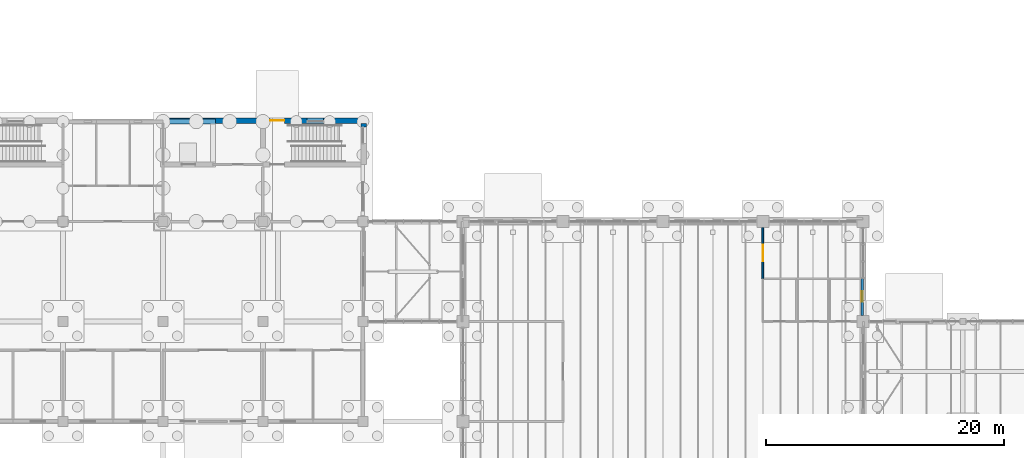
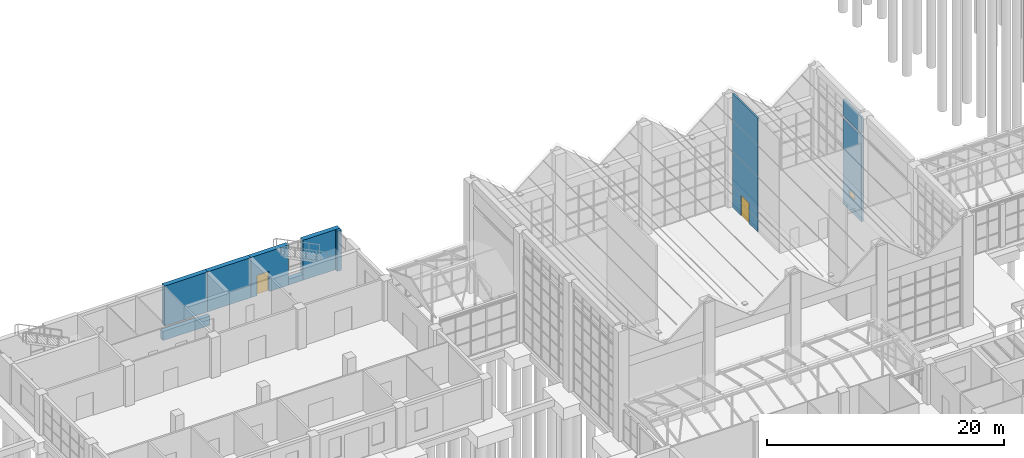
# One storey, part 111 of 138: 10 walls, 2 doors, 1 window, 3 openings.
"""IFC4 building model written with IfcOpenShell, lengths in metres."""

import ifcopenshell
import ifcopenshell.guid

model = None  # the IFC model being written
_history = None  # IfcOwnerHistory: only IFC2X3 demands one
_inside = {}  # id of a spatial element -> (the spatial element, [elements in it])
_under = {}  # id of a project, library or spatial element -> (it, [spatial elements below it])
_declared = {}  # id of a project -> (the project, [libraries it declares])
_typed = {}  # id of a type object -> (the type object, [elements of that type])
_made_of = {}  # id of a material, layer set ... -> (it, [elements and type objects made of it])


def new_model(schema):
    """Start an empty IFC model of exactly this schema.

    Asked for "IFC4X3", IfcOpenShell would pick the latest addendum, in which some entities
    have other attributes; the version numbers below select the first issue.
    IFC2X3 requires an IfcOwnerHistory on every rooted entity: one is made here for all.
    """
    global model, _history
    if schema == "IFC4X3":
        model = ifcopenshell.file(schema_version=(4, 3, 0, 0))
    else:
        model = ifcopenshell.file(schema=schema)
    _inside.clear()
    _under.clear()
    _declared.clear()
    _typed.clear()
    _made_of.clear()
    _history = None
    if model.schema == "IFC2X3":
        org = make("IfcOrganization", Name="unknown")
        user = make(
            "IfcPersonAndOrganization",
            ThePerson=make("IfcPerson", FamilyName="unknown"),
            TheOrganization=org,
        )
        app = make(
            "IfcApplication",
            ApplicationDeveloper=org,
            Version="unknown",
            ApplicationFullName="unknown",
            ApplicationIdentifier="unknown",
        )
        _history = make(
            "IfcOwnerHistory",
            OwningUser=user,
            OwningApplication=app,
            ChangeAction="ADDED",
            CreationDate=0,
        )
    return model


def make(cls, **values):
    """One entity of the class cls with the attributes given. An attribute that is None is left unset."""
    return model.create_entity(
        cls, **{name: value for name, value in values.items() if value is not None}
    )


def rooted(cls, **values):
    """An entity with a GlobalId (a new one), such as an element, a storey or a relation."""
    return make(cls, GlobalId=ifcopenshell.guid.new(), OwnerHistory=_history, **values)


def si_unit(unit_type, name, prefix=None):
    """IfcSIUnit, for example si_unit("LENGTHUNIT", "METRE", prefix="MILLI")."""
    return make("IfcSIUnit", UnitType=unit_type, Prefix=prefix, Name=name)


def assignment(units):
    """IfcUnitAssignment: the units of a project."""
    return None if units is None else make("IfcUnitAssignment", Units=units)


def point(xyz):
    """IfcCartesianPoint."""
    return None if xyz is None else make("IfcCartesianPoint", Coordinates=xyz)


def direction(xyz):
    """IfcDirection."""
    return None if xyz is None else make("IfcDirection", DirectionRatios=xyz)


def frame(location, z_axis=None, x_axis=None):
    """IfcAxis2Placement3D, a coordinate frame: its origin and axes. An axis left out is left unset."""
    return make(
        "IfcAxis2Placement3D",
        Location=point(location),
        Axis=direction(z_axis),
        RefDirection=direction(x_axis),
    )


def frame_2d(location, x_axis=None):
    """IfcAxis2Placement2D, a coordinate frame in the plane: its origin and x axis."""
    return make(
        "IfcAxis2Placement2D", Location=point(location), RefDirection=direction(x_axis)
    )


def origin():
    """The frame at (0, 0, 0) with its axes left unset."""
    return frame((0.0, 0.0, 0.0))


def place(relative_to, where):
    """IfcLocalPlacement: puts the frame where relative to a parent placement (None: the world)."""
    return make(
        "IfcLocalPlacement", PlacementRelTo=relative_to, RelativePlacement=where
    )


def context(
    kind, dimensions, precision=None, world=None, true_north=None, identifier=None
):
    """IfcGeometricRepresentationContext, for example the 3D "Model" context."""
    return make(
        "IfcGeometricRepresentationContext",
        ContextIdentifier=identifier,
        ContextType=kind,
        CoordinateSpaceDimension=dimensions,
        Precision=precision,
        WorldCoordinateSystem=world,
        TrueNorth=true_north,
    )


def subcontext(parent, identifier, kind, view, scale=None):
    """IfcGeometricRepresentationSubContext, for example "Body" below "Model"."""
    return make(
        "IfcGeometricRepresentationSubContext",
        ContextIdentifier=identifier,
        ContextType=kind,
        ParentContext=parent,
        TargetScale=scale,
        TargetView=view,
    )


def project(units=None, contexts=None):
    """IfcProject with its units and contexts."""
    return rooted(
        "IfcProject",
        Name="project",
        RepresentationContexts=contexts,
        UnitsInContext=assignment(units),
    )


def spatial(cls, under=None, at=None, **own):
    """A site, building, storey or space (cls), placed at a placement, below another one or the project."""
    s = rooted(cls, ObjectPlacement=at, **own)
    if under is not None:
        _under.setdefault(under.id(), (under, []))[1].append(s)
    return s


def profile(cls, at=None, kind="AREA", **sizes):
    """A parametric profile (cls). Its sizes go by their IFC names, for example OverallWidth=200.0."""
    return make(cls, ProfileType=kind, Position=at, **sizes)


def rectangle(**sizes):
    """IfcRectangleProfileDef."""
    return profile("IfcRectangleProfileDef", **sizes)


def extrude(swept, where, along, depth):
    """IfcExtrudedAreaSolid: the profile swept, set in the frame where, extruded along a direction by depth."""
    return make(
        "IfcExtrudedAreaSolid",
        SweptArea=swept,
        Position=where,
        ExtrudedDirection=direction(along),
        Depth=depth,
    )


def shape(context_of_items, identifier, shape_type, items):
    """IfcShapeRepresentation: the items that make up one representation, for example the "Body"."""
    return make(
        "IfcShapeRepresentation",
        ContextOfItems=context_of_items,
        RepresentationIdentifier=identifier,
        RepresentationType=shape_type,
        Items=items,
    )


def material(Name=None, Category=None):
    """IfcMaterial."""
    return make("IfcMaterial", Name=Name, Category=Category)


def layer(
    of_material, thickness, ventilated=None, Name=None, Category=None, Priority=None
):
    """IfcMaterialLayer: one layer of a wall or slab, of a material (None: an air gap)."""
    return make(
        "IfcMaterialLayer",
        Material=of_material,
        LayerThickness=thickness,
        IsVentilated=ventilated,
        Name=Name,
        Category=Category,
        Priority=Priority,
    )


def layer_set(layers, Name=None):
    """IfcMaterialLayerSet."""
    return make("IfcMaterialLayerSet", MaterialLayers=layers, LayerSetName=Name)


def made_of(thing, what):
    """Note that an element or type object is made of a material, layer set ...; save() writes the relation."""
    if what is not None:
        _made_of.setdefault(what.id(), (what, []))[1].append(thing)
    return thing


def type_object(cls, material=None, **own):
    """A type object (cls), such as IfcWallType, which elements share."""
    return made_of(rooted(cls, **own), material)


def element(
    cls,
    number,
    at=None,
    inside=None,
    cuts=None,
    type_object=None,
    material=None,
    context=None,
    identifier="Body",
    shape_type=None,
    held_by="IfcProductDefinitionShape",
    body=None,
    shapes=None,
    **own,
):
    """One element of the class cls, such as IfcWall. Its Tag is "e" and its number.

    at: its placement. inside: the storey or other place that contains it. cuts: it is an
    opening in that element (IfcRelVoidsElement). A single representation is given by context,
    identifier, shape_type and body (its items); several are given by shapes. held_by: the class
    of the entity that holds the representations. save() writes the other relations.
    """
    e = rooted(cls, Tag="e%d" % number, ObjectPlacement=at, **own)
    if body is not None:
        shapes = [shape(context, identifier, shape_type, body)]
    if shapes is not None:
        e.Representation = make(held_by, Representations=shapes)
    if inside is not None:
        _inside.setdefault(inside.id(), (inside, []))[1].append(e)
    if cuts is not None:
        rooted(
            "IfcRelVoidsElement", RelatingBuildingElement=cuts, RelatedOpeningElement=e
        )
    if type_object is not None:
        _typed.setdefault(type_object.id(), (type_object, []))[1].append(e)
    return made_of(e, material)


def fill(opening, filler):
    """IfcRelFillsElement: the door or window that sits in an opening."""
    return rooted(
        "IfcRelFillsElement",
        RelatingOpeningElement=opening,
        RelatedBuildingElement=filler,
    )


def aggregate(whole, parts):
    """IfcRelAggregates: a whole, such as a stair, and the parts it consists of."""
    return rooted("IfcRelAggregates", RelatingObject=whole, RelatedObjects=parts)


def save(model, path):
    """Write the relations noted so far, then the file.

    IfcRelAggregates (storeys below a building ...), IfcRelContainedInSpatialStructure (elements
    in a storey), IfcRelDefinesByType, IfcRelAssociatesMaterial and IfcRelDeclares: one each for
    every whole, place, type object, material and project.
    """
    for whole, parts in _under.values():
        aggregate(whole, parts)
    for where, things in _inside.values():
        rooted(
            "IfcRelContainedInSpatialStructure",
            RelatedElements=things,
            RelatingStructure=where,
        )
    for kind, things in _typed.values():
        rooted("IfcRelDefinesByType", RelatedObjects=things, RelatingType=kind)
    for what, things in _made_of.values():
        rooted("IfcRelAssociatesMaterial", RelatedObjects=things, RelatingMaterial=what)
    for by, libraries in _declared.values():
        rooted("IfcRelDeclares", RelatingContext=by, RelatedDefinitions=libraries)
    model.write(path)


model = new_model("IFC4")

# Units and contexts
model_context = context("Model", 3, precision=1e-05, world=origin(), true_north=direction((0.0, 1.0)))
body_context = subcontext(model_context, "Body", "Model", "MODEL_VIEW")
ifc_project = project(units=[si_unit("LENGTHUNIT", "METRE"), si_unit("AREAUNIT", "SQUARE_METRE"), si_unit("VOLUMEUNIT", "CUBIC_METRE"), si_unit("PLANEANGLEUNIT", "RADIAN"), si_unit("MASSUNIT", "GRAM", prefix="KILO")], contexts=[model_context])

# Site, building, storey
site_placement = place(None, origin())
site = spatial("IfcSite", under=ifc_project, at=site_placement, CompositionType="ELEMENT")
building_placement = place(site_placement, origin())
building = spatial("IfcBuilding", under=site, at=building_placement, Name="Yavir Park General Hospital", CompositionType="ELEMENT")
storey_placement = place(building_placement, origin())
storey = spatial("IfcBuildingStorey", under=building, at=storey_placement, Name="L00", CompositionType="ELEMENT", Elevation=0.0)

# Wall, opening, window
ifc_material_1 = material(Name="Aluminium glazing frame wall with insulated infill", Category="aluminium")
ifc_layer_1 = layer(ifc_material_1, 0.199951171875)
ifc_layer_set_1 = layer_set([ifc_layer_1], Name="Aluminium glazing frame wall with insulated infill")
wall_type_1 = type_object("IfcWallType", Name="Glazing frame wall 200, E 30", PredefinedType="SOLIDWALL", material=ifc_layer_set_1)
wall_1_placement = place(storey_placement, frame((109.14990234375, 59.300048828125, 0.0), z_axis=(0.0, 0.0, 1.0), x_axis=(0.0, 1.0, 0.0)))
wall_1 = element("IfcWall", 1, at=wall_1_placement, inside=storey, type_object=wall_type_1, Name="XW9 L00-154", PredefinedType="SOLIDWALL", context=body_context, shape_type="SweptSolid", body=[
    extrude(rectangle(XDim=3.099853515625, YDim=0.199951171875, at=frame_2d((1.5498046875, 0.0))), origin(), (0.0, 0.0, 1.0), 8.844970703125),
])
opening_1_placement = place(wall_1_placement, frame((1.14990234375, 0.0, 1.5)))
opening_1 = element("IfcOpeningElement", 2, at=opening_1_placement, cuts=wall_1, Name="Opening WE", PredefinedType="OPENING", context=body_context, shape_type="SweptSolid", body=[
    extrude(rectangle(XDim=0.89990234375, YDim=0.60009765625, at=frame_2d((0.449951171875, 0.300048828125))), frame((0.0, 0.10986328125, 0.0), z_axis=(0.0, -1.0, 0.0), x_axis=(1.0, 0.0, 0.0)), (0.0, 0.0, 1.0), 0.219970703125),
])
ifc_material_2 = material(Name="Aluminium frame, obscured glazed unit", Category="aluminium")
window_type = type_object("IfcWindowType", Name="Toilet window 900 x 600", PartitioningType="SINGLE_PANEL", PredefinedType="WINDOW", material=ifc_material_2)
window_placement = place(opening_1_placement, origin())
window = element("IfcWindow", 3, at=window_placement, inside=storey, type_object=window_type, Name="WE L00-064", OverallHeight=0.60009765625, OverallWidth=0.89990234375, PartitioningType="SINGLE_PANEL", PredefinedType="WINDOW", context=body_context, shape_type="SweptSolid", body=[
    extrude(rectangle(XDim=0.89990234375, YDim=0.60009765625, at=frame_2d((0.449951171875, 0.300048828125))), frame((0.0, 0.030029296875, 0.0), z_axis=(0.0, -1.0, 0.0), x_axis=(1.0, 0.0, 0.0)), (0.0, 0.0, 1.0), 0.06005859375),
])
fill(opening_1, window)

# Wall
wall_2_placement = place(storey_placement, frame((109.14990234375, 59.300048828125, 9.155029296875), z_axis=(0.0, 0.0, 1.0), x_axis=(0.0, 1.0, 0.0)))
element("IfcWall", 4, at=wall_2_placement, inside=storey, type_object=wall_type_1, Name="XW9 L00-154 above B:HALL:WIND:E2", PredefinedType="SOLIDWALL", context=body_context, shape_type="SweptSolid", body=[
    extrude(rectangle(XDim=3.099853515625, YDim=0.199951171875, at=frame_2d((1.5498046875, 0.0))), origin(), (0.0, 0.0, 1.0), 1.659912109375),
])

# Wall, opening, door
ifc_material_3 = material(Name="Gypsum board partition on steel studs", Category="steel")
ifc_layer_2 = layer(ifc_material_3, 0.14990234375)
ifc_layer_set_2 = layer_set([ifc_layer_2], Name="Gypsum board partition on steel studs")
wall_type_2 = type_object("IfcWallType", Name="Gypsum board partition 150", PredefinedType="PARTITIONING", material=ifc_layer_set_2)
wall_3_placement = place(storey_placement, frame((100.800048828125, 62.39990234375, 0.0), z_axis=(0.0, 0.0, 1.0), x_axis=(0.0, 1.0, 0.0)))
wall_3 = element("IfcWall", 5, at=wall_3_placement, inside=storey, type_object=wall_type_2, Name="P15 L00-425", PredefinedType="PARTITIONING", context=body_context, shape_type="SweptSolid", body=[
    extrude(rectangle(XDim=4.300048828125, YDim=0.14990234375, at=frame_2d((2.14990234375, 0.0))), origin(), (0.0, 0.0, 1.0), 11.717041015625),
])
opening_2_placement = place(wall_3_placement, frame((1.449951171875, 0.0, 0.0)))
opening_2 = element("IfcOpeningElement", 6, at=opening_2_placement, cuts=wall_3, Name="Opening L00.D206", PredefinedType="OPENING", context=body_context, shape_type="SweptSolid", body=[
    extrude(rectangle(XDim=1.39990234375, YDim=2.10009765625, at=frame_2d((0.699951171875, 1.050048828125))), frame((0.0, 0.0849609375, 0.0), z_axis=(0.0, -1.0, 0.0), x_axis=(1.0, 0.0, 0.0)), (0.0, 0.0, 1.0), 0.169921875),
])
ifc_material_4 = material(Name="Hollow metal frame, solid-core timber leaf", Category="wood")
door_type_1 = type_object("IfcDoorType", Name="Double swing door 1400 x 2100", OperationType="DOUBLE_DOOR_SINGLE_SWING", PredefinedType="DOOR", material=ifc_material_4)
door_1_placement = place(opening_2_placement, origin())
door_1 = element("IfcDoor", 7, at=door_1_placement, inside=storey, type_object=door_type_1, Name="L00.D206", OperationType="SINGLE_SWING_RIGHT", OverallHeight=2.10009765625, OverallWidth=1.39990234375, PredefinedType="DOOR", context=body_context, shape_type="SweptSolid", body=[
    extrude(rectangle(XDim=1.39990234375, YDim=2.10009765625, at=frame_2d((0.699951171875, 1.050048828125))), frame((0.0, 0.02490234375, 0.0), z_axis=(0.0, -1.0, 0.0), x_axis=(1.0, 0.0, 0.0)), (0.0, 0.0, 1.0), 0.050048828125),
])
fill(opening_2, door_1)

# Walls
ifc_material_5 = material(Name="Concrete C35/45", Category="concrete")
ifc_layer_3 = layer(ifc_material_5, 0.39990234375)
ifc_layer_set_3 = layer_set([ifc_layer_3], Name="Concrete C35/45")
wall_type_3 = type_object("IfcWallType", Name="RC WALL LIFT PIT 400", PredefinedType="SOLIDWALL", material=ifc_layer_set_3)
wall_4_placement = place(storey_placement, frame((50.199951171875, 75.60009765625, -1.39990234375), z_axis=(0.0, 0.0, 1.0), x_axis=(1.0, 0.0, 0.0)))
element("IfcWall", 8, at=wall_4_placement, inside=storey, type_object=wall_type_3, Name="W:PIT:CPL:1", PredefinedType="SOLIDWALL", context=body_context, shape_type="SweptSolid", body=[
    extrude(rectangle(XDim=4.60009765625, YDim=0.39990234375, at=frame_2d((2.300048828125, 0.0))), origin(), (0.0, 0.0, 1.0), 0.949951171875),
])
ifc_material_6 = material(Name="Concrete C30/37 precast panel with 150 mm mineral wool insulation", Category="concrete")
ifc_layer_4 = layer(ifc_material_6, 0.449951171875)
ifc_layer_set_4 = layer_set([ifc_layer_4], Name="Concrete C30/37 precast panel with 150 mm mineral wool insulation")
wall_type_4 = type_object("IfcWallType", Name="Stair enclosure wall 450, REI 150", PredefinedType="SOLIDWALL", material=ifc_layer_set_4)
wall_5_placement = place(storey_placement, frame((50.39990234375, 75.675048828125, 0.0), z_axis=(0.0, 0.0, 1.0), x_axis=(1.0, 0.0, 0.0)))
element("IfcWall", 9, at=wall_5_placement, inside=storey, type_object=wall_type_4, Name="XW6 L00-073", PredefinedType="SOLIDWALL", context=body_context, shape_type="SweptSolid", body=[
    extrude(rectangle(XDim=4.2001953125, YDim=0.449951171875, at=frame_2d((2.10009765625, 0.0))), origin(), (0.0, 0.0, 1.0), 4.139892578125),
])
wall_6_placement = place(storey_placement, frame((54.60009765625, 75.675048828125, 0.0), z_axis=(0.0, 0.0, 1.0), x_axis=(1.0, 0.0, 0.0)))
element("IfcWall", 10, at=wall_6_placement, inside=storey, type_object=wall_type_4, Name="XW6 L00-074", PredefinedType="SOLIDWALL", context=body_context, shape_type="SweptSolid", body=[
    extrude(rectangle(XDim=4.199951171875, YDim=0.449951171875, at=frame_2d((2.10009765625, 0.0))), origin(), (0.0, 0.0, 1.0), 4.139892578125),
])

# Wall, opening, door
wall_7_placement = place(storey_placement, frame((58.800048828125, 75.675048828125, 0.0), z_axis=(0.0, 0.0, 1.0), x_axis=(1.0, 0.0, 0.0)))
wall_7 = element("IfcWall", 11, at=wall_7_placement, inside=storey, type_object=wall_type_4, Name="XW6 L00-075", PredefinedType="SOLIDWALL", context=body_context, shape_type="SweptSolid", body=[
    extrude(rectangle(XDim=3.699951171875, YDim=0.449951171875, at=frame_2d((1.85009765625, 0.0))), origin(), (0.0, 0.0, 1.0), 4.139892578125),
])
opening_3_placement = place(wall_7_placement, frame((0.60009765625, 0.0, 0.0)))
opening_3 = element("IfcOpeningElement", 12, at=opening_3_placement, cuts=wall_7, Name="Opening L00.X20", PredefinedType="OPENING", context=body_context, shape_type="SweptSolid", body=[
    extrude(rectangle(XDim=1.199951171875, YDim=2.10009765625, at=frame_2d((0.60009765625, 1.050048828125))), frame((0.0, 0.23486328125, 0.0), z_axis=(0.0, -1.0, 0.0), x_axis=(1.0, 0.0, 0.0)), (0.0, 0.0, 1.0), 0.469970703125),
])
ifc_material_7 = material(Name="Hollow metal frame, solid-core timber leaf", Category="wood")
door_type_2 = type_object("IfcDoorType", Name="Single swing door 1200 x 2100", OperationType="SINGLE_SWING_LEFT", PredefinedType="DOOR", material=ifc_material_7)
door_2_placement = place(opening_3_placement, origin())
door_2 = element("IfcDoor", 13, at=door_2_placement, inside=storey, type_object=door_type_2, Name="L00.X20", OperationType="SINGLE_SWING_RIGHT", OverallHeight=2.10009765625, OverallWidth=1.199951171875, PredefinedType="DOOR", context=body_context, shape_type="SweptSolid", body=[
    extrude(rectangle(XDim=1.199951171875, YDim=2.10009765625, at=frame_2d((0.60009765625, 1.050048828125))), frame((0.0, 0.02490234375, 0.0), z_axis=(0.0, -1.0, 0.0), x_axis=(1.0, 0.0, 0.0)), (0.0, 0.0, 1.0), 0.050048828125),
])
fill(opening_3, door_2)

# Walls
wall_8_placement = place(storey_placement, frame((63.89990234375, 75.675048828125, 0.0), z_axis=(0.0, 0.0, 1.0), x_axis=(1.0, 0.0, 0.0)))
element("IfcWall", 14, at=wall_8_placement, inside=storey, type_object=wall_type_4, Name="XW6 L00-076", PredefinedType="SOLIDWALL", context=body_context, shape_type="SweptSolid", body=[
    extrude(rectangle(XDim=3.60009765625, YDim=0.449951171875, at=frame_2d((1.800048828125, 0.0))), origin(), (0.0, 0.0, 1.0), 4.139892578125),
])
wall_9_placement = place(storey_placement, frame((62.5, 75.675048828125, 0.0), z_axis=(0.0, 0.0, 1.0), x_axis=(1.0, 0.0, 0.0)))
element("IfcWall", 15, at=wall_9_placement, inside=storey, type_object=wall_type_4, Name="XW6 L00-077", PredefinedType="SOLIDWALL", context=body_context, shape_type="SweptSolid", body=[
    extrude(rectangle(XDim=1.39990234375, YDim=0.449951171875, at=frame_2d((0.699951171875, 0.0))), origin(), (0.0, 0.0, 1.0), 0.60009765625),
])
wall_10_placement = place(storey_placement, frame((67.27490234375, 75.14990234375, 0.0), z_axis=(0.0, 0.0, 1.0), x_axis=(0.0, 1.0, 0.0)))
element("IfcWall", 16, at=wall_10_placement, inside=storey, type_object=wall_type_4, Name="XW6 L00-149", PredefinedType="SOLIDWALL", context=body_context, shape_type="SweptSolid", body=[
    extrude(rectangle(XDim=0.300048828125, YDim=0.449951171875, at=frame_2d((0.14990234375, 0.0))), origin(), (0.0, 0.0, 1.0), 4.139892578125),
])

save(model, "model.ifc")
